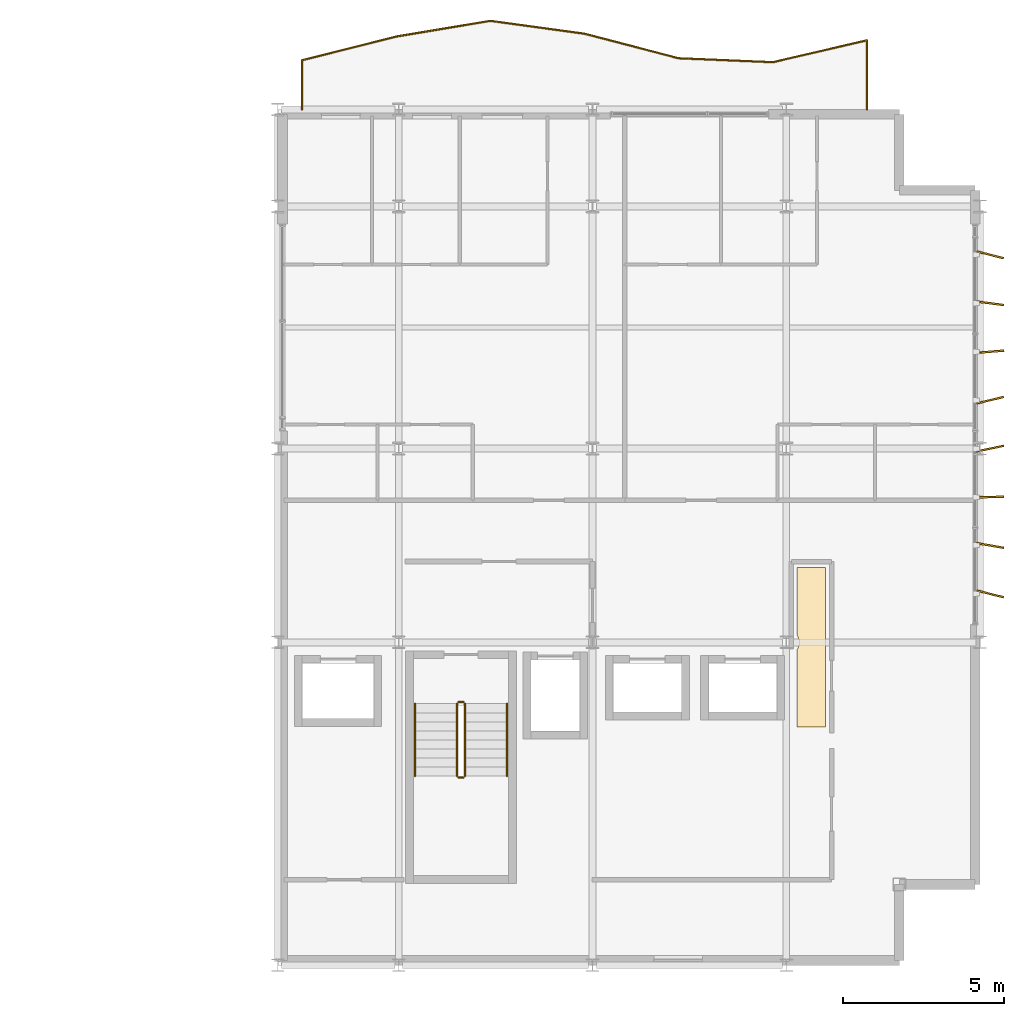
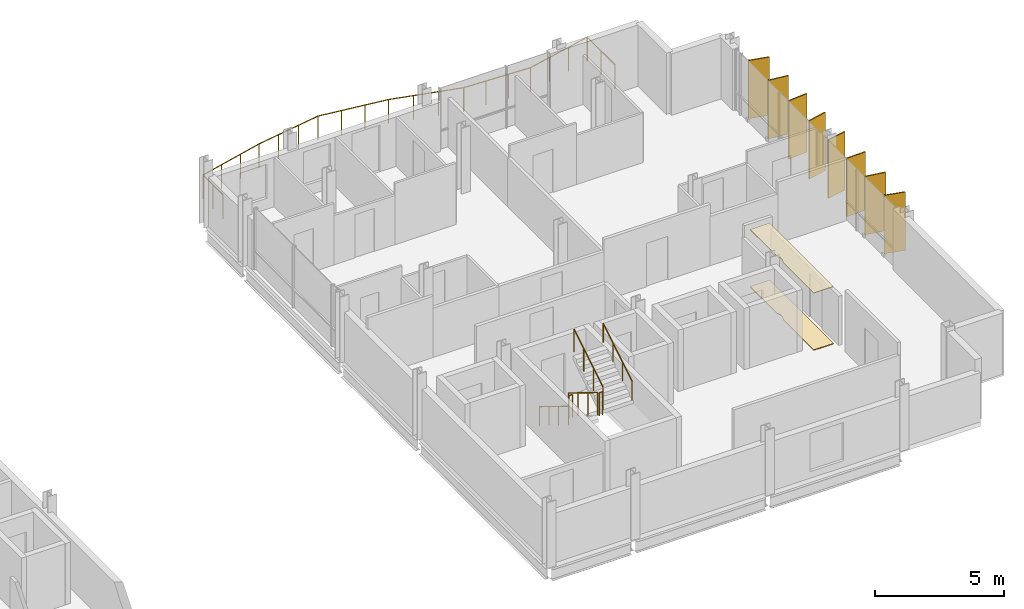
# One storey, part 28 of 28: 8 shading devices, 7 railings, 2 coverings.
"""IFC4 building model written with IfcOpenShell, lengths in metres."""

from ifc_helpers import new_model, si_unit, direction, frame, origin, origin_2d, place, context, subcontext, project, spatial, polyline, rectangle, circle, outline, extrude, material, layer, layer_set, type_object, element, save


model = new_model("IFC4")

# Units and contexts
model_context = context("Model", 3, precision=1e-05, world=origin(), true_north=direction((0.0, 1.0)))
body_context = subcontext(model_context, "Body", "Model", "MODEL_VIEW")
ifc_project = project(units=[si_unit("LENGTHUNIT", "METRE"), si_unit("AREAUNIT", "SQUARE_METRE"), si_unit("VOLUMEUNIT", "CUBIC_METRE"), si_unit("PLANEANGLEUNIT", "RADIAN"), si_unit("MASSUNIT", "GRAM", prefix="KILO")], contexts=[model_context])

# Site, building, storey
site_placement = place(None, origin())
site = spatial("IfcSite", under=ifc_project, at=site_placement, CompositionType="ELEMENT")
building_placement = place(site_placement, origin())
building = spatial("IfcBuilding", under=site, at=building_placement, Name="Brevholm Reach", CompositionType="ELEMENT")
storey_placement = place(building_placement, frame((0.0, 0.0, 192.5)))
storey = spatial("IfcBuildingStorey", under=building, at=storey_placement, Name="L58", CompositionType="ELEMENT", Elevation=192.5)

# Coverings
ifc_material_1 = material(Name="Moisture-Resistant Skimmed Gypsum Plasterboard Ceiling", Category="gypsum")
ifc_layer_1 = layer(ifc_material_1, 0.030029296875)
ifc_layer_set_1 = layer_set([ifc_layer_1], Name="Moisture-Resistant Skimmed Gypsum Plasterboard Ceiling")
covering_type_1 = type_object("IfcCoveringType", Name="COV-CLG-GYP", PredefinedType="CEILING", material=ifc_layer_set_1)
covering_1_placement = place(storey_placement, frame((0.0, 0.0, 2.68994140625)))
element("IfcCovering", 1, at=covering_1_placement, inside=storey, type_object=covering_type_1, Name="L58 Suspended Ceiling L58-19", PredefinedType="CEILING", context=body_context, shape_type="SweptSolid", body=[
    extrude(outline(polyline([(54.330078125, 9.7626953125), (54.33056640625, 9.764892578125), (54.33251953125, 9.777587890625), (54.33251953125, 9.77783203125), (54.352783203125, 9.811279296875), (54.36962890625, 9.846923828125), (54.3828125, 9.8837890625), (54.392333984375, 9.922119140625), (54.398193359375, 9.960693359375), (54.39990234375, 10.0), (54.398193359375, 10.039306640625), (54.392333984375, 10.077880859375), (54.3828125, 10.1162109375), (54.36962890625, 10.153076171875), (54.352783203125, 10.188720703125), (54.333984375, 10.219970703125), (54.333984375, 12.320068359375), (55.216064453125, 12.320068359375), (55.216064453125, 7.3798828125), (54.330078125, 7.3798828125), (54.330078125, 9.7626953125)])), origin(), (0.0, 0.0, 1.0), 0.030029296875),
])
ifc_material_2 = material(Name="Honed Portland-Aggregate Resin Terrazzo Flooring", Category="concrete")
ifc_layer_2 = layer(ifc_material_2, 0.031982421875)
ifc_layer_set_2 = layer_set([ifc_layer_2], Name="Honed Portland-Aggregate Resin Terrazzo Flooring")
covering_type_2 = type_object("IfcCoveringType", Name="COV-FLR-TRZ", PredefinedType="FLOORING", material=ifc_layer_set_2)
covering_2_placement = place(storey_placement, origin())
element("IfcCovering", 2, at=covering_2_placement, inside=storey, type_object=covering_type_2, Name="L58 Floor Finish L58-19", PredefinedType="FLOORING", context=body_context, shape_type="SweptSolid", body=[
    extrude(outline(polyline([(54.330078125, 9.7626953125), (54.33056640625, 9.764892578125), (54.33251953125, 9.777587890625), (54.33251953125, 9.77783203125), (54.352783203125, 9.811279296875), (54.36962890625, 9.846923828125), (54.3828125, 9.8837890625), (54.392333984375, 9.922119140625), (54.398193359375, 9.960693359375), (54.39990234375, 10.0), (54.398193359375, 10.039306640625), (54.392333984375, 10.077880859375), (54.3828125, 10.1162109375), (54.36962890625, 10.153076171875), (54.352783203125, 10.188720703125), (54.333984375, 10.219970703125), (54.333984375, 12.320068359375), (55.216064453125, 12.320068359375), (55.216064453125, 7.3798828125), (54.330078125, 7.3798828125), (54.330078125, 9.7626953125)])), origin(), (0.0, 0.0, 1.0), 0.031982421875),
])

# Railings
ifc_material_3 = material(Name="Brushed Stainless Steel EN 1.4401 and Laminated Glass", Category="steel")
railing_type_1 = type_object("IfcRailingType", Name="RAL-BALC-1150", PredefinedType="BALUSTRADE", material=ifc_material_3)
railing_1_placement = place(storey_placement, frame((56.5, 26.5, 0.0)))
element("IfcRailing", 3, at=railing_1_placement, inside=storey, type_object=railing_type_1, Name="L58 Guard Balustrade RAL-L58-BAL-NE", PredefinedType="BALUSTRADE", context=body_context, shape_type="SweptSolid", body=[
    extrude(circle(Radius=0.02392578125, at=origin_2d()), frame((0.0, 0.0, 1.1259765625), z_axis=(0.0, 1.0, 0.0), x_axis=(-1.0, 0.0, 0.0)), (0.0, 0.0, 1.0), 2.1455078125),
    extrude(circle(Radius=0.02392578125, at=origin_2d()), frame((0.0, 2.1455078125, 1.1259765625), z_axis=(-0.974086615793, -0.226175296912, 0.0), x_axis=(0.226175296912, -0.974086615793, 0.0)), (0.0, 0.0, 1.0), 2.994384765625),
    extrude(circle(Radius=0.02392578125, at=origin_2d()), frame((-2.916748046875, 1.46826171875, 1.1259765625), z_axis=(-0.999139150441, 0.041484431493, 0.0), x_axis=(-0.041484431493, -0.999139150441, 0.0)), (0.0, 0.0, 1.0), 2.9189453125),
    extrude(circle(Radius=0.02392578125, at=origin_2d()), frame((-5.833251953125, 1.58935546875, 1.1259765625), z_axis=(-0.967668860758, 0.252224058961, 0.0), x_axis=(-0.252224058961, -0.967668860758, 0.0)), (0.0, 0.0, 1.0), 3.01416015625),
    extrude(circle(Radius=0.02392578125, at=origin_2d()), frame((-8.75, 2.349609375, 1.1259765625), z_axis=(-0.990787222307, 0.135427767141, 0.0), x_axis=(-0.135427767141, -0.990787222307, 0.0)), (0.0, 0.0, 1.0), 2.94384765625),
    extrude(circle(Radius=0.02392578125, at=origin_2d()), frame((-11.666748046875, 2.748291015625, 1.1259765625), z_axis=(-0.986326897089, -0.164800643445, 0.0), x_axis=(0.164800643445, -0.986326897089, 0.0)), (0.0, 0.0, 1.0), 2.95703125),
    extrude(circle(Radius=0.02392578125, at=origin_2d()), frame((-14.583251953125, 2.260986328125, 1.1259765625), z_axis=(-0.969908046993, -0.243471518618, 0.0), x_axis=(0.243471518618, -0.969908046993, 0.0)), (0.0, 0.0, 1.0), 3.00732421875),
    extrude(circle(Radius=0.02392578125, at=origin_2d()), frame((-17.5, 1.52880859375, 1.1259765625), z_axis=(0.0, -1.0, 0.0), x_axis=(1.0, 0.0, 0.0)), (0.0, 0.0, 1.0), 1.52880859375),
    extrude(circle(Radius=0.02099609375, at=origin_2d()), origin(), (0.0, 0.0, 1.0), 1.101806640625),
    extrude(circle(Radius=0.02099609375, at=origin_2d()), frame((0.0, 1.07275390625, 0.0)), (0.0, 0.0, 1.0), 1.101806640625),
    extrude(circle(Radius=0.02099609375, at=origin_2d()), frame((0.0, 2.1455078125, 0.0)), (0.0, 0.0, 1.0), 1.101806640625),
    extrude(circle(Radius=0.02099609375, at=origin_2d()), frame((-0.97216796875, 1.919677734375, 0.0)), (0.0, 0.0, 1.0), 1.101806640625),
    extrude(circle(Radius=0.02099609375, at=origin_2d()), frame((-1.944580078125, 1.694091796875, 0.0)), (0.0, 0.0, 1.0), 1.101806640625),
    extrude(circle(Radius=0.02099609375, at=origin_2d()), frame((-2.916748046875, 1.46826171875, 0.0)), (0.0, 0.0, 1.0), 1.101806640625),
    extrude(circle(Radius=0.02099609375, at=origin_2d()), frame((-3.888916015625, 1.508544921875, 0.0)), (0.0, 0.0, 1.0), 1.101806640625),
    extrude(circle(Radius=0.02099609375, at=origin_2d()), frame((-4.861083984375, 1.549072265625, 0.0)), (0.0, 0.0, 1.0), 1.101806640625),
    extrude(circle(Radius=0.02099609375, at=origin_2d()), frame((-5.833251953125, 1.58935546875, 0.0)), (0.0, 0.0, 1.0), 1.101806640625),
    extrude(circle(Radius=0.02099609375, at=origin_2d()), frame((-6.805419921875, 1.8427734375, 0.0)), (0.0, 0.0, 1.0), 1.101806640625),
    extrude(circle(Radius=0.02099609375, at=origin_2d()), frame((-7.77783203125, 2.09619140625, 0.0)), (0.0, 0.0, 1.0), 1.101806640625),
    extrude(circle(Radius=0.02099609375, at=origin_2d()), frame((-8.75, 2.349609375, 0.0)), (0.0, 0.0, 1.0), 1.101806640625),
    extrude(circle(Radius=0.02099609375, at=origin_2d()), frame((-9.72216796875, 2.482421875, 0.0)), (0.0, 0.0, 1.0), 1.101806640625),
    extrude(circle(Radius=0.02099609375, at=origin_2d()), frame((-10.694580078125, 2.615478515625, 0.0)), (0.0, 0.0, 1.0), 1.101806640625),
    extrude(circle(Radius=0.02099609375, at=origin_2d()), frame((-11.666748046875, 2.748291015625, 0.0)), (0.0, 0.0, 1.0), 1.101806640625),
    extrude(circle(Radius=0.02099609375, at=origin_2d()), frame((-12.638916015625, 2.5859375, 0.0)), (0.0, 0.0, 1.0), 1.101806640625),
    extrude(circle(Radius=0.02099609375, at=origin_2d()), frame((-13.611083984375, 2.42333984375, 0.0)), (0.0, 0.0, 1.0), 1.101806640625),
    extrude(circle(Radius=0.02099609375, at=origin_2d()), frame((-14.583251953125, 2.260986328125, 0.0)), (0.0, 0.0, 1.0), 1.101806640625),
    extrude(circle(Radius=0.02099609375, at=origin_2d()), frame((-15.555419921875, 2.016845703125, 0.0)), (0.0, 0.0, 1.0), 1.101806640625),
    extrude(circle(Radius=0.02099609375, at=origin_2d()), frame((-16.52783203125, 1.77294921875, 0.0)), (0.0, 0.0, 1.0), 1.101806640625),
    extrude(circle(Radius=0.02099609375, at=origin_2d()), frame((-17.5, 1.52880859375, 0.0)), (0.0, 0.0, 1.0), 1.101806640625),
    extrude(circle(Radius=0.02099609375, at=origin_2d()), frame((-17.5, 0.764404296875, 0.0)), (0.0, 0.0, 1.0), 1.101806640625),
    extrude(circle(Radius=0.02099609375, at=origin_2d()), frame((-17.5, 0.0, 0.0)), (0.0, 0.0, 1.0), 1.101806640625),
])
ifc_material_4 = material(Name="Brushed Stainless Steel EN 1.4401 Continuous Handrail", Category="steel")
railing_type_2 = type_object("IfcRailingType", Name="RAL-HND-950", PredefinedType="HANDRAIL", material=ifc_material_4)
railing_2_placement = place(storey_placement, frame((42.5, 8.10009765625, 0.172119140625)))
element("IfcRailing", 4, at=railing_2_placement, inside=storey, type_object=railing_type_2, Name="L58 ST-2 stair handrail 1", PredefinedType="HANDRAIL", context=body_context, shape_type="SweptSolid", body=[
    extrude(circle(Radius=0.02392578125, at=origin_2d()), frame((0.0, 0.0, 0.8857421875), z_axis=(0.0, -0.851747552033, 0.523952390591), x_axis=(1.0, 0.0, 0.0)), (0.0, 0.0, 1.0), 2.6298828125),
    extrude(circle(Radius=0.02099609375, at=origin_2d()), origin(), (0.0, 0.0, 1.0), 0.86181640625),
    extrude(circle(Radius=0.02099609375, at=origin_2d()), frame((0.0, -0.74658203125, 0.459228515625)), (0.0, 0.0, 1.0), 0.86181640625),
    extrude(circle(Radius=0.02099609375, at=origin_2d()), frame((0.0, -1.493408203125, 0.918701171875)), (0.0, 0.0, 1.0), 0.86181640625),
    extrude(circle(Radius=0.02099609375, at=origin_2d()), frame((0.0, -2.239990234375, 1.3779296875)), (0.0, 0.0, 1.0), 0.86181640625),
])
railing_3_placement = place(storey_placement, frame((45.35009765625, 5.860107421875, 1.72216796875)))
element("IfcRailing", 5, at=railing_3_placement, inside=storey, type_object=railing_type_2, Name="L58 ST-2 stair handrail 2", PredefinedType="HANDRAIL", context=body_context, shape_type="SweptSolid", body=[
    extrude(circle(Radius=0.02392578125, at=origin_2d()), frame((0.0, 0.0, 0.8857421875), z_axis=(0.0, 0.851747552033, 0.523952390591), x_axis=(-1.0, 0.0, 0.0)), (0.0, 0.0, 1.0), 2.6298828125),
    extrude(circle(Radius=0.02099609375, at=origin_2d()), origin(), (0.0, 0.0, 1.0), 0.86181640625),
    extrude(circle(Radius=0.02099609375, at=origin_2d()), frame((0.0, 0.74658203125, 0.459228515625)), (0.0, 0.0, 1.0), 0.86181640625),
    extrude(circle(Radius=0.02099609375, at=origin_2d()), frame((0.0, 1.493408203125, 0.918701171875)), (0.0, 0.0, 1.0), 0.86181640625),
    extrude(circle(Radius=0.02099609375, at=origin_2d()), frame((0.0, 2.239990234375, 1.3779296875)), (0.0, 0.0, 1.0), 0.86181640625),
])
ifc_material_5 = material(Name="Painted Tubular Galvanised Steel S275JR Stair Guard", Category="steel")
railing_type_3 = type_object("IfcRailingType", Name="RAL-STG-1120", PredefinedType="BALUSTRADE", material=ifc_material_5)
railing_4_placement = place(storey_placement, frame((43.800048828125, 8.10009765625, 0.172119140625)))
element("IfcRailing", 6, at=railing_4_placement, inside=storey, type_object=railing_type_3, Name="L58 ST-2 stair guard 1", PredefinedType="BALUSTRADE", context=body_context, shape_type="SweptSolid", body=[
    extrude(circle(Radius=0.02392578125, at=origin_2d()), frame((0.0, 0.0, 1.076171875), z_axis=(0.0, -0.851747552033, 0.523952390591), x_axis=(1.0, 0.0, 0.0)), (0.0, 0.0, 1.0), 2.6298828125),
    extrude(circle(Radius=0.02099609375, at=origin_2d()), origin(), (0.0, 0.0, 1.0), 1.052001953125),
    extrude(circle(Radius=0.02099609375, at=origin_2d()), frame((0.0, -0.74658203125, 0.459228515625)), (0.0, 0.0, 1.0), 1.052001953125),
    extrude(circle(Radius=0.02099609375, at=origin_2d()), frame((0.0, -1.493408203125, 0.918701171875)), (0.0, 0.0, 1.0), 1.052001953125),
    extrude(circle(Radius=0.02099609375, at=origin_2d()), frame((0.0, -2.239990234375, 1.3779296875)), (0.0, 0.0, 1.0), 1.052001953125),
])
railing_5_placement = place(storey_placement, frame((43.85009765625, 5.81005859375, 1.550048828125)))
element("IfcRailing", 7, at=railing_5_placement, inside=storey, type_object=railing_type_3, Name="L58 ST-2 stair guard 2", PredefinedType="BALUSTRADE", context=body_context, shape_type="SweptSolid", body=[
    extrude(circle(Radius=0.02392578125, at=origin_2d()), frame((0.0, 0.0, 1.076171875), z_axis=(1.0, 0.0, 0.0), x_axis=(0.0, 1.0, 0.0)), (0.0, 0.0, 1.0), 0.14990234375),
    extrude(circle(Radius=0.02099609375, at=origin_2d()), origin(), (0.0, 0.0, 1.0), 1.052001953125),
    extrude(circle(Radius=0.02099609375, at=origin_2d()), frame((0.14990234375, 0.0, 0.0)), (0.0, 0.0, 1.0), 1.052001953125),
])
railing_6_placement = place(storey_placement, frame((44.050048828125, 5.860107421875, 1.72216796875)))
element("IfcRailing", 8, at=railing_6_placement, inside=storey, type_object=railing_type_3, Name="L58 ST-2 stair guard 3", PredefinedType="BALUSTRADE", context=body_context, shape_type="SweptSolid", body=[
    extrude(circle(Radius=0.02392578125, at=origin_2d()), frame((0.0, 0.0, 1.076171875), z_axis=(0.0, 0.851747552033, 0.523952390591), x_axis=(-1.0, 0.0, 0.0)), (0.0, 0.0, 1.0), 2.6298828125),
    extrude(circle(Radius=0.02099609375, at=origin_2d()), origin(), (0.0, 0.0, 1.0), 1.052001953125),
    extrude(circle(Radius=0.02099609375, at=origin_2d()), frame((0.0, 0.74658203125, 0.459228515625)), (0.0, 0.0, 1.0), 1.052001953125),
    extrude(circle(Radius=0.02099609375, at=origin_2d()), frame((0.0, 1.493408203125, 0.918701171875)), (0.0, 0.0, 1.0), 1.052001953125),
    extrude(circle(Radius=0.02099609375, at=origin_2d()), frame((0.0, 2.239990234375, 1.3779296875)), (0.0, 0.0, 1.0), 1.052001953125),
])
railing_7_placement = place(storey_placement, frame((43.85009765625, 8.14990234375, 0.0)))
element("IfcRailing", 9, at=railing_7_placement, inside=storey, type_object=railing_type_3, Name="L58 ST-2 stair guard 4", PredefinedType="BALUSTRADE", context=body_context, shape_type="SweptSolid", body=[
    extrude(circle(Radius=0.02392578125, at=origin_2d()), frame((0.0, 0.0, 1.076171875), z_axis=(1.0, 0.0, 0.0), x_axis=(0.0, 1.0, 0.0)), (0.0, 0.0, 1.0), 0.14990234375),
    extrude(circle(Radius=0.02099609375, at=origin_2d()), origin(), (0.0, 0.0, 1.0), 1.052001953125),
    extrude(circle(Radius=0.02099609375, at=origin_2d()), frame((0.14990234375, 0.0, 0.0)), (0.0, 0.0, 1.0), 1.052001953125),
])

# Shading devices
ifc_material_6 = material(Name="Perforated Champagne-Bronze Anodised Aluminium", Category="aluminium")
ifc_layer_3 = layer(ifc_material_6, 0.054931640625)
ifc_layer_set_3 = layer_set([ifc_layer_3], Name="Perforated Champagne-Bronze Anodised Aluminium")
shading_device_type = type_object("IfcShadingDeviceType", Name="SHD-FIN-850", PredefinedType="USERDEFINED", material=ifc_layer_set_3)
for number, where, z_axis, x_axis, name in (
    (10, (60.31494140625, 11.5, 0.070068359375), (0.0, 0.0, 1.0), (0.970720674201, -0.240211100242, 0.0), "L58 Perforated Solar Screen Fin 1"),
    (11, (60.31494140625, 13.0, 0.070068359375), (0.0, 0.0, 1.0), (0.984868307662, -0.173304404339, 0.0), "L58 Perforated Solar Screen Fin 2"),
    (12, (60.31494140625, 14.5, 0.070068359375), (0.0, 0.0, 1.0), (0.999678019, 0.025374363619, 0.0), "L58 Perforated Solar Screen Fin 3"),
    (13, (60.31494140625, 16.0, 0.070068359375), (0.0, 0.0, 1.0), (0.978892365362, 0.204376459104, 0.0), "L58 Perforated Solar Screen Fin 4"),
    (14, (60.31494140625, 17.5, 0.070068359375), (0.0, 0.0, 1.0), (0.973371257264, 0.229234368129, 0.0), "L58 Perforated Solar Screen Fin 5"),
    (15, (60.31494140625, 19.0, 0.070068359375), (0.0, 0.0, 1.0), (0.996592907944, 0.08247772933, 0.0), "L58 Perforated Solar Screen Fin 6"),
    (16, (60.31494140625, 20.5, 0.070068359375), (0.0, 0.0, 1.0), (0.991778713921, -0.127964770988, 0.0), "L58 Perforated Solar Screen Fin 7"),
    (17, (60.31494140625, 22.0, 0.070068359375), (0.0, 0.0, 1.0), (0.970720674201, -0.240211100242, 0.0), "L58 Perforated Solar Screen Fin 8"),
):
    element("IfcShadingDevice", number, at=place(storey_placement, frame(where, z_axis=z_axis, x_axis=x_axis)), inside=storey, type_object=shading_device_type, Name=name, ObjectType="SCREEN", PredefinedType="USERDEFINED", context=body_context, shape_type="SweptSolid", body=[
        extrude(rectangle(XDim=0.85009765625, YDim=0.054931640625, at=origin_2d()), origin(), (0.0, 0.0, 1.0), 2.75),
    ])

save(model, "model.ifc")
